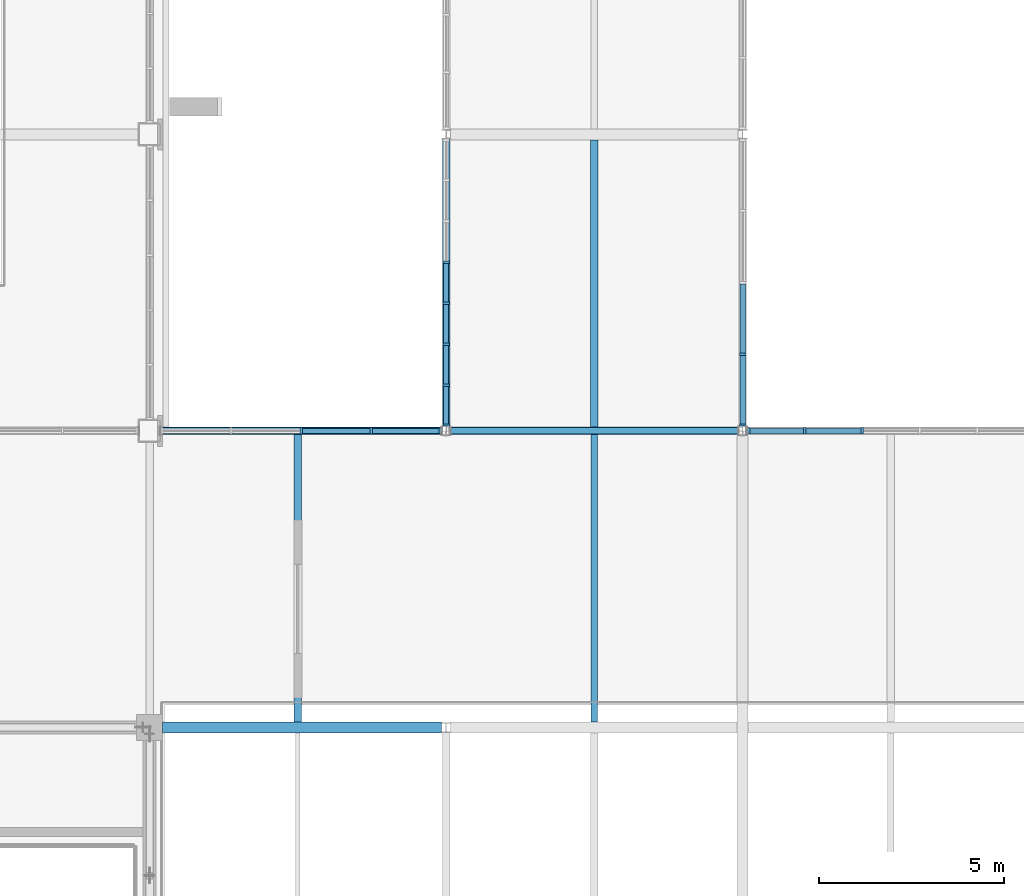
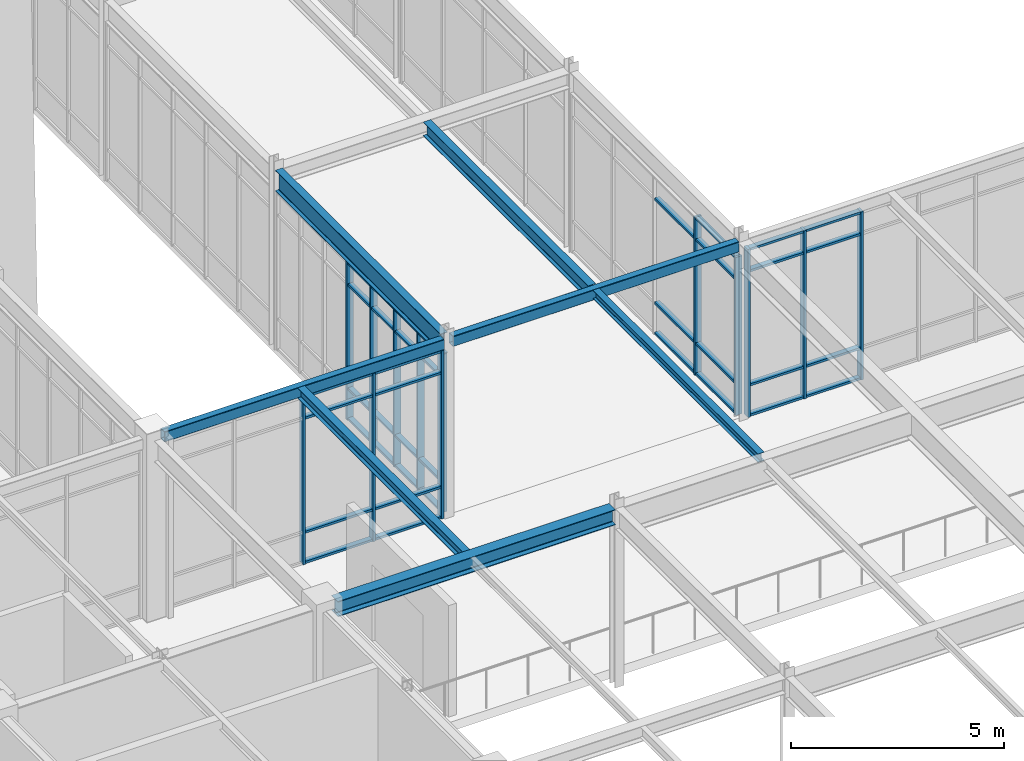
# One storey, part 34 of 184: 52 members, 7 beams, 4 elements without a shape of their own.
"""IFC4 building model written with IfcOpenShell, lengths in metres."""

from ifc_helpers import new_model, si_unit, direction, frame, origin, origin_2d, place, context, subcontext, project, spatial, rectangle, hollow_rectangle, i_section, extrude, material, material_profile, profile_set, type_object, element, aggregate, save


model = new_model("IFC4")

# Units and contexts
model_context = context("Model", 3, precision=1e-05, world=origin(), true_north=direction((0.0, 1.0)))
body_context = subcontext(model_context, "Body", "Model", "MODEL_VIEW")
ifc_project = project(units=[si_unit("LENGTHUNIT", "METRE"), si_unit("AREAUNIT", "SQUARE_METRE"), si_unit("VOLUMEUNIT", "CUBIC_METRE"), si_unit("PLANEANGLEUNIT", "RADIAN"), si_unit("MASSUNIT", "GRAM", prefix="KILO")], contexts=[model_context])

# Site, building, storey
site_placement = place(None, origin())
site = spatial("IfcSite", under=ifc_project, at=site_placement, CompositionType="ELEMENT")
building_placement = place(site_placement, origin())
building = spatial("IfcBuilding", under=site, at=building_placement, Name="Zhaolan Boulevard Law Courts", CompositionType="ELEMENT")
storey_placement = place(building_placement, frame((0.0, 0.0, 5.39990234375)))
storey = spatial("IfcBuildingStorey", under=building, at=storey_placement, Name="L01", CompositionType="ELEMENT", Elevation=5.39990234375)

# Curtain wall, members
ifc_material_1 = material(Name="Thermally broken aluminium and low-E glazing", Category="aluminium")
curtain_wall_type_1 = type_object("IfcCurtainWallType", Name="CURTAIN WALL M24", PredefinedType="USERDEFINED", material=ifc_material_1)
curtain_wall_1_placement = place(storey_placement, origin())
curtain_wall_1 = element("IfcCurtainWall", 1, at=curtain_wall_1_placement, inside=storey, type_object=curtain_wall_type_1, Name="Curtain Wall CW-L01-048", ObjectType="CURTAIN WALL", PredefinedType="USERDEFINED")
ifc_material_2 = material(Name="Fluorocarbon-coated aluminium 6063-T6", Category="aluminium")
ifc_material_profile_1 = material_profile(ifc_material_2, rectangle(XDim=0.179931640625, YDim=0.06494140625, at=origin_2d()), Name="AL65x180")
ifc_profile_set_1 = profile_set([ifc_material_profile_1], Name="Fluorocarbon-coated aluminium 6063-T6")
member_type_1 = type_object("IfcMemberType", Name="CWMULLION 65X180", PredefinedType="MULLION", material=ifc_profile_set_1)
member_1_placement = place(storey_placement, frame((51.840576171875, 30.0, 0.0), z_axis=(0.0, 0.0, 1.0), x_axis=(0.0, -1.0, 0.0)))
member_1 = element("IfcMember", 2, at=member_1_placement, type_object=member_type_1, Name="CW-L01-048 mullion 1", PredefinedType="MULLION", context=body_context, shape_type="SweptSolid", body=[
    extrude(rectangle(XDim=0.179931640625, YDim=0.06494140625, at=origin_2d()), origin(), (0.0, 0.0, 1.0), 4.822998046875),
])
member_2_placement = place(storey_placement, frame((49.980224609375, 30.0, 0.0), z_axis=(0.0, 0.0, 1.0), x_axis=(0.0, -1.0, 0.0)))
member_2 = element("IfcMember", 3, at=member_2_placement, type_object=member_type_1, Name="CW-L01-048 mullion 2", PredefinedType="MULLION", context=body_context, shape_type="SweptSolid", body=[
    extrude(rectangle(XDim=0.179931640625, YDim=0.06494140625, at=origin_2d()), origin(), (0.0, 0.0, 1.0), 4.822998046875),
])
member_3_placement = place(storey_placement, frame((48.08740234375, 30.0, 0.0), z_axis=(0.0, 0.0, 1.0), x_axis=(0.0, -1.0, 0.0)))
member_3 = element("IfcMember", 4, at=member_3_placement, type_object=member_type_1, Name="CW-L01-048 mullion 3", PredefinedType="MULLION", context=body_context, shape_type="SweptSolid", body=[
    extrude(rectangle(XDim=0.179931640625, YDim=0.06494140625, at=origin_2d()), origin(), (0.0, 0.0, 1.0), 4.822998046875),
])

ifc_material_3 = material(Name="Thermally broken aluminium and low-E glazing", Category="aluminium")
curtain_wall_type_2 = type_object("IfcCurtainWallType", Name="CURTAIN WALL M1", PredefinedType="USERDEFINED", material=ifc_material_3)
curtain_wall_2_placement = place(storey_placement, origin())
curtain_wall_2 = element("IfcCurtainWall", 5, at=curtain_wall_2_placement, inside=storey, type_object=curtain_wall_type_2, Name="Curtain Wall CW-L01-049", ObjectType="CURTAIN WALL", PredefinedType="USERDEFINED")
member_4_placement = place(storey_placement, frame((63.225341796875, 30.0, 0.0), z_axis=(0.0, 0.0, 1.0), x_axis=(0.0, -1.0, 0.0)))
member_4 = element("IfcMember", 6, at=member_4_placement, type_object=member_type_1, Name="CW-L01-049 mullion 4", PredefinedType="MULLION", context=body_context, shape_type="SweptSolid", body=[
    extrude(rectangle(XDim=0.179931640625, YDim=0.06494140625, at=origin_2d()), origin(), (0.0, 0.0, 1.0), 4.822998046875),
])
member_5_placement = place(storey_placement, frame((61.67626953125, 30.0, 0.0), z_axis=(0.0, 0.0, 1.0), x_axis=(0.0, -1.0, 0.0)))
member_5 = element("IfcMember", 7, at=member_5_placement, type_object=member_type_1, Name="CW-L01-049 mullion 5", PredefinedType="MULLION", context=body_context, shape_type="SweptSolid", body=[
    extrude(rectangle(XDim=0.179931640625, YDim=0.06494140625, at=origin_2d()), origin(), (0.0, 0.0, 1.0), 4.822998046875),
])
member_6_placement = place(storey_placement, frame((60.159423828125, 30.0, 0.0), z_axis=(0.0, 0.0, 1.0), x_axis=(0.0, -1.0, 0.0)))
member_6 = element("IfcMember", 8, at=member_6_placement, type_object=member_type_1, Name="CW-L01-049 mullion 6", PredefinedType="MULLION", context=body_context, shape_type="SweptSolid", body=[
    extrude(rectangle(XDim=0.179931640625, YDim=0.06494140625, at=origin_2d()), origin(), (0.0, 0.0, 1.0), 4.822998046875),
])

ifc_material_4 = material(Name="Thermally broken aluminium and low-E glazing", Category="aluminium")
curtain_wall_type_3 = type_object("IfcCurtainWallType", Name="CURTAIN WALL M18", PredefinedType="USERDEFINED", material=ifc_material_4)
curtain_wall_3_placement = place(storey_placement, origin())
curtain_wall_3 = element("IfcCurtainWall", 9, at=curtain_wall_3_placement, inside=storey, type_object=curtain_wall_type_3, Name="Curtain Wall CW-L01-066", ObjectType="CURTAIN WALL", PredefinedType="USERDEFINED")
member_7_placement = place(storey_placement, frame((52.0, 34.55322265625, 0.0), z_axis=(0.0, 0.0, 1.0), x_axis=(1.0, 0.0, 0.0)))
member_7 = element("IfcMember", 10, at=member_7_placement, type_object=member_type_1, Name="CW-L01-066 mullion 4", PredefinedType="MULLION", context=body_context, shape_type="SweptSolid", body=[
    extrude(rectangle(XDim=0.179931640625, YDim=0.06494140625, at=origin_2d()), origin(), (0.0, 0.0, 1.0), 4.533203125),
])
member_8_placement = place(storey_placement, frame((52.0, 33.44677734375, 0.0), z_axis=(0.0, 0.0, 1.0), x_axis=(1.0, 0.0, 0.0)))
member_8 = element("IfcMember", 11, at=member_8_placement, type_object=member_type_1, Name="CW-L01-066 mullion 5", PredefinedType="MULLION", context=body_context, shape_type="SweptSolid", body=[
    extrude(rectangle(XDim=0.179931640625, YDim=0.06494140625, at=origin_2d()), origin(), (0.0, 0.0, 1.0), 4.533203125),
])
member_9_placement = place(storey_placement, frame((52.0, 32.340087890625, 0.0), z_axis=(0.0, 0.0, 1.0), x_axis=(1.0, 0.0, 0.0)))
member_9 = element("IfcMember", 12, at=member_9_placement, type_object=member_type_1, Name="CW-L01-066 mullion 6", PredefinedType="MULLION", context=body_context, shape_type="SweptSolid", body=[
    extrude(rectangle(XDim=0.179931640625, YDim=0.06494140625, at=origin_2d()), origin(), (0.0, 0.0, 1.0), 4.533203125),
])
member_10_placement = place(storey_placement, frame((52.0, 31.233642578125, 0.0), z_axis=(0.0, 0.0, 1.0), x_axis=(1.0, 0.0, 0.0)))
member_10 = element("IfcMember", 13, at=member_10_placement, type_object=member_type_1, Name="CW-L01-066 mullion 7", PredefinedType="MULLION", context=body_context, shape_type="SweptSolid", body=[
    extrude(rectangle(XDim=0.179931640625, YDim=0.06494140625, at=origin_2d()), origin(), (0.0, 0.0, 1.0), 4.533203125),
])
member_11_placement = place(storey_placement, frame((52.0, 30.159423828125, 0.0), z_axis=(0.0, 0.0, 1.0), x_axis=(1.0, 0.0, 0.0)))
member_11 = element("IfcMember", 14, at=member_11_placement, type_object=member_type_1, Name="CW-L01-066 mullion 8", PredefinedType="MULLION", context=body_context, shape_type="SweptSolid", body=[
    extrude(rectangle(XDim=0.179931640625, YDim=0.06494140625, at=origin_2d()), origin(), (0.0, 0.0, 1.0), 4.533203125),
])

ifc_material_5 = material(Name="Thermally broken aluminium and low-E glazing", Category="aluminium")
curtain_wall_type_4 = type_object("IfcCurtainWallType", Name="CURTAIN WALL M22", PredefinedType="USERDEFINED", material=ifc_material_5)
curtain_wall_4_placement = place(storey_placement, origin())
curtain_wall_4 = element("IfcCurtainWall", 15, at=curtain_wall_4_placement, inside=storey, type_object=curtain_wall_type_4, Name="Curtain Wall CW-L01-070", ObjectType="CURTAIN WALL", PredefinedType="USERDEFINED")
member_12_placement = place(storey_placement, frame((60.0, 30.159423828125, 0.0), z_axis=(0.0, 0.0, 1.0), x_axis=(-1.0, 0.0, 0.0)))
member_12 = element("IfcMember", 16, at=member_12_placement, type_object=member_type_1, Name="CW-L01-070 mullion 1", PredefinedType="MULLION", context=body_context, shape_type="SweptSolid", body=[
    extrude(rectangle(XDim=0.179931640625, YDim=0.06494140625, at=origin_2d()), origin(), (0.0, 0.0, 1.0), 4.533203125),
])
member_13_placement = place(storey_placement, frame((60.0, 32.0634765625, 0.0), z_axis=(0.0, 0.0, 1.0), x_axis=(-1.0, 0.0, 0.0)))
member_13 = element("IfcMember", 17, at=member_13_placement, type_object=member_type_1, Name="CW-L01-070 mullion 2", PredefinedType="MULLION", context=body_context, shape_type="SweptSolid", body=[
    extrude(rectangle(XDim=0.179931640625, YDim=0.06494140625, at=origin_2d()), origin(), (0.0, 0.0, 1.0), 4.533203125),
])

# Member
ifc_material_6 = material(Name="Fluorocarbon-coated aluminium 6063-T6", Category="aluminium")
ifc_material_profile_2 = material_profile(ifc_material_6, rectangle(XDim=0.139892578125, YDim=0.06494140625, at=origin_2d()), Name="AL65x140")
ifc_profile_set_2 = profile_set([ifc_material_profile_2], Name="Fluorocarbon-coated aluminium 6063-T6")
member_type_2 = type_object("IfcMemberType", Name="CWTRANSOM 65X140", PredefinedType="USERDEFINED", material=ifc_profile_set_2)
member_14_placement = place(storey_placement, frame((51.80810546875, 30.0, 0.03271484375), z_axis=(-1.0, 0.0, 0.0), x_axis=(0.0, -1.0, 0.0)))
member_14 = element("IfcMember", 18, at=member_14_placement, type_object=member_type_2, Name="CW-L01-048 transom 1.1", ObjectType="TRANSOM", PredefinedType="USERDEFINED", context=body_context, shape_type="SweptSolid", body=[
    extrude(rectangle(XDim=0.139892578125, YDim=0.06494140625, at=origin_2d()), origin(), (0.0, 0.0, 1.0), 1.79541015625),
])

member_15_placement = place(storey_placement, frame((51.80810546875, 30.0, 0.900146484375), z_axis=(-1.0, 0.0, 0.0), x_axis=(0.0, -1.0, 0.0)))
member_15 = element("IfcMember", 19, at=member_15_placement, type_object=member_type_2, Name="CW-L01-048 transom 1.2", ObjectType="TRANSOM", PredefinedType="USERDEFINED", context=body_context, shape_type="SweptSolid", body=[
    extrude(rectangle(XDim=0.139892578125, YDim=0.06494140625, at=origin_2d()), origin(), (0.0, 0.0, 1.0), 1.79541015625),
])

member_16_placement = place(storey_placement, frame((51.80810546875, 30.0, 4.173095703125), z_axis=(-1.0, 0.0, 0.0), x_axis=(0.0, -1.0, 0.0)))
member_16 = element("IfcMember", 20, at=member_16_placement, type_object=member_type_2, Name="CW-L01-048 transom 1.3", ObjectType="TRANSOM", PredefinedType="USERDEFINED", context=body_context, shape_type="SweptSolid", body=[
    extrude(rectangle(XDim=0.139892578125, YDim=0.06494140625, at=origin_2d()), origin(), (0.0, 0.0, 1.0), 1.79541015625),
])

member_17_placement = place(storey_placement, frame((51.80810546875, 30.0, 4.79052734375), z_axis=(-1.0, 0.0, 0.0), x_axis=(0.0, -1.0, 0.0)))
member_17 = element("IfcMember", 21, at=member_17_placement, type_object=member_type_2, Name="CW-L01-048 transom 1.4", ObjectType="TRANSOM", PredefinedType="USERDEFINED", context=body_context, shape_type="SweptSolid", body=[
    extrude(rectangle(XDim=0.139892578125, YDim=0.06494140625, at=origin_2d()), origin(), (0.0, 0.0, 1.0), 1.79541015625),
])

member_18_placement = place(storey_placement, frame((49.94775390625, 30.0, 0.03271484375), z_axis=(-1.0, 0.0, 0.0), x_axis=(0.0, -1.0, 0.0)))
member_18 = element("IfcMember", 22, at=member_18_placement, type_object=member_type_2, Name="CW-L01-048 transom 2.1", ObjectType="TRANSOM", PredefinedType="USERDEFINED", context=body_context, shape_type="SweptSolid", body=[
    extrude(rectangle(XDim=0.139892578125, YDim=0.06494140625, at=origin_2d()), origin(), (0.0, 0.0, 1.0), 1.82763671875),
])

member_19_placement = place(storey_placement, frame((49.94775390625, 30.0, 0.900146484375), z_axis=(-1.0, 0.0, 0.0), x_axis=(0.0, -1.0, 0.0)))
member_19 = element("IfcMember", 23, at=member_19_placement, type_object=member_type_2, Name="CW-L01-048 transom 2.2", ObjectType="TRANSOM", PredefinedType="USERDEFINED", context=body_context, shape_type="SweptSolid", body=[
    extrude(rectangle(XDim=0.139892578125, YDim=0.06494140625, at=origin_2d()), origin(), (0.0, 0.0, 1.0), 1.82763671875),
])

member_20_placement = place(storey_placement, frame((49.94775390625, 30.0, 4.173095703125), z_axis=(-1.0, 0.0, 0.0), x_axis=(0.0, -1.0, 0.0)))
member_20 = element("IfcMember", 24, at=member_20_placement, type_object=member_type_2, Name="CW-L01-048 transom 2.3", ObjectType="TRANSOM", PredefinedType="USERDEFINED", context=body_context, shape_type="SweptSolid", body=[
    extrude(rectangle(XDim=0.139892578125, YDim=0.06494140625, at=origin_2d()), origin(), (0.0, 0.0, 1.0), 1.82763671875),
])

member_21_placement = place(storey_placement, frame((49.94775390625, 30.0, 4.79052734375), z_axis=(-1.0, 0.0, 0.0), x_axis=(0.0, -1.0, 0.0)))
member_21 = element("IfcMember", 25, at=member_21_placement, type_object=member_type_2, Name="CW-L01-048 transom 2.4", ObjectType="TRANSOM", PredefinedType="USERDEFINED", context=body_context, shape_type="SweptSolid", body=[
    extrude(rectangle(XDim=0.139892578125, YDim=0.06494140625, at=origin_2d()), origin(), (0.0, 0.0, 1.0), 1.82763671875),
])

aggregate(curtain_wall_1, [member_1, member_2, member_3, member_14, member_15, member_16, member_17, member_18, member_19, member_20, member_21])

member_22_placement = place(storey_placement, frame((63.19287109375, 30.0, 0.03271484375), z_axis=(-1.0, 0.0, 0.0), x_axis=(0.0, -1.0, 0.0)))
member_22 = element("IfcMember", 26, at=member_22_placement, type_object=member_type_2, Name="CW-L01-049 transom 4.1", ObjectType="TRANSOM", PredefinedType="USERDEFINED", context=body_context, shape_type="SweptSolid", body=[
    extrude(rectangle(XDim=0.139892578125, YDim=0.06494140625, at=origin_2d()), origin(), (0.0, 0.0, 1.0), 1.484130859375),
])

member_23_placement = place(storey_placement, frame((63.19287109375, 30.0, 0.900146484375), z_axis=(-1.0, 0.0, 0.0), x_axis=(0.0, -1.0, 0.0)))
member_23 = element("IfcMember", 27, at=member_23_placement, type_object=member_type_2, Name="CW-L01-049 transom 4.2", ObjectType="TRANSOM", PredefinedType="USERDEFINED", context=body_context, shape_type="SweptSolid", body=[
    extrude(rectangle(XDim=0.139892578125, YDim=0.06494140625, at=origin_2d()), origin(), (0.0, 0.0, 1.0), 1.484130859375),
])

member_24_placement = place(storey_placement, frame((63.19287109375, 30.0, 4.173095703125), z_axis=(-1.0, 0.0, 0.0), x_axis=(0.0, -1.0, 0.0)))
member_24 = element("IfcMember", 28, at=member_24_placement, type_object=member_type_2, Name="CW-L01-049 transom 4.3", ObjectType="TRANSOM", PredefinedType="USERDEFINED", context=body_context, shape_type="SweptSolid", body=[
    extrude(rectangle(XDim=0.139892578125, YDim=0.06494140625, at=origin_2d()), origin(), (0.0, 0.0, 1.0), 1.484130859375),
])

member_25_placement = place(storey_placement, frame((63.19287109375, 30.0, 4.79052734375), z_axis=(-1.0, 0.0, 0.0), x_axis=(0.0, -1.0, 0.0)))
member_25 = element("IfcMember", 29, at=member_25_placement, type_object=member_type_2, Name="CW-L01-049 transom 4.4", ObjectType="TRANSOM", PredefinedType="USERDEFINED", context=body_context, shape_type="SweptSolid", body=[
    extrude(rectangle(XDim=0.139892578125, YDim=0.06494140625, at=origin_2d()), origin(), (0.0, 0.0, 1.0), 1.484130859375),
])

member_26_placement = place(storey_placement, frame((61.643798828125, 30.0, 0.03271484375), z_axis=(-1.0, 0.0, 0.0), x_axis=(0.0, -1.0, 0.0)))
member_26 = element("IfcMember", 30, at=member_26_placement, type_object=member_type_2, Name="CW-L01-049 transom 5.1", ObjectType="TRANSOM", PredefinedType="USERDEFINED", context=body_context, shape_type="SweptSolid", body=[
    extrude(rectangle(XDim=0.139892578125, YDim=0.06494140625, at=origin_2d()), origin(), (0.0, 0.0, 1.0), 1.451904296875),
])

member_27_placement = place(storey_placement, frame((61.643798828125, 30.0, 0.900146484375), z_axis=(-1.0, 0.0, 0.0), x_axis=(0.0, -1.0, 0.0)))
member_27 = element("IfcMember", 31, at=member_27_placement, type_object=member_type_2, Name="CW-L01-049 transom 5.2", ObjectType="TRANSOM", PredefinedType="USERDEFINED", context=body_context, shape_type="SweptSolid", body=[
    extrude(rectangle(XDim=0.139892578125, YDim=0.06494140625, at=origin_2d()), origin(), (0.0, 0.0, 1.0), 1.451904296875),
])

member_28_placement = place(storey_placement, frame((61.643798828125, 30.0, 4.173095703125), z_axis=(-1.0, 0.0, 0.0), x_axis=(0.0, -1.0, 0.0)))
member_28 = element("IfcMember", 32, at=member_28_placement, type_object=member_type_2, Name="CW-L01-049 transom 5.3", ObjectType="TRANSOM", PredefinedType="USERDEFINED", context=body_context, shape_type="SweptSolid", body=[
    extrude(rectangle(XDim=0.139892578125, YDim=0.06494140625, at=origin_2d()), origin(), (0.0, 0.0, 1.0), 1.451904296875),
])

member_29_placement = place(storey_placement, frame((61.643798828125, 30.0, 4.79052734375), z_axis=(-1.0, 0.0, 0.0), x_axis=(0.0, -1.0, 0.0)))
member_29 = element("IfcMember", 33, at=member_29_placement, type_object=member_type_2, Name="CW-L01-049 transom 5.4", ObjectType="TRANSOM", PredefinedType="USERDEFINED", context=body_context, shape_type="SweptSolid", body=[
    extrude(rectangle(XDim=0.139892578125, YDim=0.06494140625, at=origin_2d()), origin(), (0.0, 0.0, 1.0), 1.451904296875),
])

aggregate(curtain_wall_2, [member_4, member_5, member_6, member_22, member_23, member_24, member_25, member_26, member_27, member_28, member_29])

member_30_placement = place(storey_placement, frame((52.0, 34.520751953125, 0.03271484375), z_axis=(0.0, -1.0, 0.0), x_axis=(1.0, 0.0, 0.0)))
member_30 = element("IfcMember", 34, at=member_30_placement, type_object=member_type_2, Name="CW-L01-066 transom 4.1", ObjectType="TRANSOM", PredefinedType="USERDEFINED", context=body_context, shape_type="SweptSolid", body=[
    extrude(rectangle(XDim=0.139892578125, YDim=0.06494140625, at=origin_2d()), origin(), (0.0, 0.0, 1.0), 1.04150390625),
])

member_31_placement = place(storey_placement, frame((52.0, 34.520751953125, 0.900146484375), z_axis=(0.0, -1.0, 0.0), x_axis=(1.0, 0.0, 0.0)))
member_31 = element("IfcMember", 35, at=member_31_placement, type_object=member_type_2, Name="CW-L01-066 transom 4.2", ObjectType="TRANSOM", PredefinedType="USERDEFINED", context=body_context, shape_type="SweptSolid", body=[
    extrude(rectangle(XDim=0.139892578125, YDim=0.06494140625, at=origin_2d()), origin(), (0.0, 0.0, 1.0), 1.04150390625),
])

member_32_placement = place(storey_placement, frame((52.0, 34.520751953125, 3.883056640625), z_axis=(0.0, -1.0, 0.0), x_axis=(1.0, 0.0, 0.0)))
member_32 = element("IfcMember", 36, at=member_32_placement, type_object=member_type_2, Name="CW-L01-066 transom 4.3", ObjectType="TRANSOM", PredefinedType="USERDEFINED", context=body_context, shape_type="SweptSolid", body=[
    extrude(rectangle(XDim=0.139892578125, YDim=0.06494140625, at=origin_2d()), origin(), (0.0, 0.0, 1.0), 1.04150390625),
])

member_33_placement = place(storey_placement, frame((52.0, 34.520751953125, 4.50048828125), z_axis=(0.0, -1.0, 0.0), x_axis=(1.0, 0.0, 0.0)))
member_33 = element("IfcMember", 37, at=member_33_placement, type_object=member_type_2, Name="CW-L01-066 transom 4.4", ObjectType="TRANSOM", PredefinedType="USERDEFINED", context=body_context, shape_type="SweptSolid", body=[
    extrude(rectangle(XDim=0.139892578125, YDim=0.06494140625, at=origin_2d()), origin(), (0.0, 0.0, 1.0), 1.04150390625),
])

member_34_placement = place(storey_placement, frame((52.0, 33.414306640625, 0.03271484375), z_axis=(0.0, -1.0, 0.0), x_axis=(1.0, 0.0, 0.0)))
member_34 = element("IfcMember", 38, at=member_34_placement, type_object=member_type_2, Name="CW-L01-066 transom 5.1", ObjectType="TRANSOM", PredefinedType="USERDEFINED", context=body_context, shape_type="SweptSolid", body=[
    extrude(rectangle(XDim=0.139892578125, YDim=0.06494140625, at=origin_2d()), origin(), (0.0, 0.0, 1.0), 1.041748046875),
])

member_35_placement = place(storey_placement, frame((52.0, 33.414306640625, 0.900146484375), z_axis=(0.0, -1.0, 0.0), x_axis=(1.0, 0.0, 0.0)))
member_35 = element("IfcMember", 39, at=member_35_placement, type_object=member_type_2, Name="CW-L01-066 transom 5.2", ObjectType="TRANSOM", PredefinedType="USERDEFINED", context=body_context, shape_type="SweptSolid", body=[
    extrude(rectangle(XDim=0.139892578125, YDim=0.06494140625, at=origin_2d()), origin(), (0.0, 0.0, 1.0), 1.041748046875),
])

member_36_placement = place(storey_placement, frame((52.0, 33.414306640625, 3.883056640625), z_axis=(0.0, -1.0, 0.0), x_axis=(1.0, 0.0, 0.0)))
member_36 = element("IfcMember", 40, at=member_36_placement, type_object=member_type_2, Name="CW-L01-066 transom 5.3", ObjectType="TRANSOM", PredefinedType="USERDEFINED", context=body_context, shape_type="SweptSolid", body=[
    extrude(rectangle(XDim=0.139892578125, YDim=0.06494140625, at=origin_2d()), origin(), (0.0, 0.0, 1.0), 1.041748046875),
])

member_37_placement = place(storey_placement, frame((52.0, 33.414306640625, 4.50048828125), z_axis=(0.0, -1.0, 0.0), x_axis=(1.0, 0.0, 0.0)))
member_37 = element("IfcMember", 41, at=member_37_placement, type_object=member_type_2, Name="CW-L01-066 transom 5.4", ObjectType="TRANSOM", PredefinedType="USERDEFINED", context=body_context, shape_type="SweptSolid", body=[
    extrude(rectangle(XDim=0.139892578125, YDim=0.06494140625, at=origin_2d()), origin(), (0.0, 0.0, 1.0), 1.041748046875),
])

member_38_placement = place(storey_placement, frame((52.0, 32.3076171875, 0.03271484375), z_axis=(0.0, -1.0, 0.0), x_axis=(1.0, 0.0, 0.0)))
member_38 = element("IfcMember", 42, at=member_38_placement, type_object=member_type_2, Name="CW-L01-066 transom 6.1", ObjectType="TRANSOM", PredefinedType="USERDEFINED", context=body_context, shape_type="SweptSolid", body=[
    extrude(rectangle(XDim=0.139892578125, YDim=0.06494140625, at=origin_2d()), origin(), (0.0, 0.0, 1.0), 1.04150390625),
])

member_39_placement = place(storey_placement, frame((52.0, 32.3076171875, 0.900146484375), z_axis=(0.0, -1.0, 0.0), x_axis=(1.0, 0.0, 0.0)))
member_39 = element("IfcMember", 43, at=member_39_placement, type_object=member_type_2, Name="CW-L01-066 transom 6.2", ObjectType="TRANSOM", PredefinedType="USERDEFINED", context=body_context, shape_type="SweptSolid", body=[
    extrude(rectangle(XDim=0.139892578125, YDim=0.06494140625, at=origin_2d()), origin(), (0.0, 0.0, 1.0), 1.04150390625),
])

member_40_placement = place(storey_placement, frame((52.0, 32.3076171875, 3.883056640625), z_axis=(0.0, -1.0, 0.0), x_axis=(1.0, 0.0, 0.0)))
member_40 = element("IfcMember", 44, at=member_40_placement, type_object=member_type_2, Name="CW-L01-066 transom 6.3", ObjectType="TRANSOM", PredefinedType="USERDEFINED", context=body_context, shape_type="SweptSolid", body=[
    extrude(rectangle(XDim=0.139892578125, YDim=0.06494140625, at=origin_2d()), origin(), (0.0, 0.0, 1.0), 1.04150390625),
])

member_41_placement = place(storey_placement, frame((52.0, 32.3076171875, 4.50048828125), z_axis=(0.0, -1.0, 0.0), x_axis=(1.0, 0.0, 0.0)))
member_41 = element("IfcMember", 45, at=member_41_placement, type_object=member_type_2, Name="CW-L01-066 transom 6.4", ObjectType="TRANSOM", PredefinedType="USERDEFINED", context=body_context, shape_type="SweptSolid", body=[
    extrude(rectangle(XDim=0.139892578125, YDim=0.06494140625, at=origin_2d()), origin(), (0.0, 0.0, 1.0), 1.04150390625),
])

member_42_placement = place(storey_placement, frame((52.0, 31.201171875, 0.03271484375), z_axis=(0.0, -1.0, 0.0), x_axis=(1.0, 0.0, 0.0)))
member_42 = element("IfcMember", 46, at=member_42_placement, type_object=member_type_2, Name="CW-L01-066 transom 7.1", ObjectType="TRANSOM", PredefinedType="USERDEFINED", context=body_context, shape_type="SweptSolid", body=[
    extrude(rectangle(XDim=0.139892578125, YDim=0.06494140625, at=origin_2d()), origin(), (0.0, 0.0, 1.0), 1.00927734375),
])

member_43_placement = place(storey_placement, frame((52.0, 31.201171875, 0.900146484375), z_axis=(0.0, -1.0, 0.0), x_axis=(1.0, 0.0, 0.0)))
member_43 = element("IfcMember", 47, at=member_43_placement, type_object=member_type_2, Name="CW-L01-066 transom 7.2", ObjectType="TRANSOM", PredefinedType="USERDEFINED", context=body_context, shape_type="SweptSolid", body=[
    extrude(rectangle(XDim=0.139892578125, YDim=0.06494140625, at=origin_2d()), origin(), (0.0, 0.0, 1.0), 1.00927734375),
])

member_44_placement = place(storey_placement, frame((52.0, 31.201171875, 3.883056640625), z_axis=(0.0, -1.0, 0.0), x_axis=(1.0, 0.0, 0.0)))
member_44 = element("IfcMember", 48, at=member_44_placement, type_object=member_type_2, Name="CW-L01-066 transom 7.3", ObjectType="TRANSOM", PredefinedType="USERDEFINED", context=body_context, shape_type="SweptSolid", body=[
    extrude(rectangle(XDim=0.139892578125, YDim=0.06494140625, at=origin_2d()), origin(), (0.0, 0.0, 1.0), 1.00927734375),
])

member_45_placement = place(storey_placement, frame((52.0, 31.201171875, 4.50048828125), z_axis=(0.0, -1.0, 0.0), x_axis=(1.0, 0.0, 0.0)))
member_45 = element("IfcMember", 49, at=member_45_placement, type_object=member_type_2, Name="CW-L01-066 transom 7.4", ObjectType="TRANSOM", PredefinedType="USERDEFINED", context=body_context, shape_type="SweptSolid", body=[
    extrude(rectangle(XDim=0.139892578125, YDim=0.06494140625, at=origin_2d()), origin(), (0.0, 0.0, 1.0), 1.00927734375),
])

aggregate(curtain_wall_3, [member_7, member_8, member_9, member_10, member_11, member_30, member_31, member_32, member_33, member_34, member_35, member_36, member_37, member_38, member_39, member_40, member_41, member_42, member_43, member_44, member_45])

member_46_placement = place(storey_placement, frame((60.0, 30.19189453125, 0.03271484375), z_axis=(0.0, 1.0, 0.0), x_axis=(-1.0, 0.0, 0.0)))
member_46 = element("IfcMember", 50, at=member_46_placement, type_object=member_type_2, Name="CW-L01-070 transom 1.1", ObjectType="TRANSOM", PredefinedType="USERDEFINED", context=body_context, shape_type="SweptSolid", body=[
    extrude(rectangle(XDim=0.139892578125, YDim=0.06494140625, at=origin_2d()), origin(), (0.0, 0.0, 1.0), 1.839111328125),
])

member_47_placement = place(storey_placement, frame((60.0, 30.19189453125, 0.900146484375), z_axis=(0.0, 1.0, 0.0), x_axis=(-1.0, 0.0, 0.0)))
member_47 = element("IfcMember", 51, at=member_47_placement, type_object=member_type_2, Name="CW-L01-070 transom 1.2", ObjectType="TRANSOM", PredefinedType="USERDEFINED", context=body_context, shape_type="SweptSolid", body=[
    extrude(rectangle(XDim=0.139892578125, YDim=0.06494140625, at=origin_2d()), origin(), (0.0, 0.0, 1.0), 1.839111328125),
])

member_48_placement = place(storey_placement, frame((60.0, 30.19189453125, 3.883056640625), z_axis=(0.0, 1.0, 0.0), x_axis=(-1.0, 0.0, 0.0)))
member_48 = element("IfcMember", 52, at=member_48_placement, type_object=member_type_2, Name="CW-L01-070 transom 1.3", ObjectType="TRANSOM", PredefinedType="USERDEFINED", context=body_context, shape_type="SweptSolid", body=[
    extrude(rectangle(XDim=0.139892578125, YDim=0.06494140625, at=origin_2d()), origin(), (0.0, 0.0, 1.0), 1.839111328125),
])

member_49_placement = place(storey_placement, frame((60.0, 30.19189453125, 4.50048828125), z_axis=(0.0, 1.0, 0.0), x_axis=(-1.0, 0.0, 0.0)))
member_49 = element("IfcMember", 53, at=member_49_placement, type_object=member_type_2, Name="CW-L01-070 transom 1.4", ObjectType="TRANSOM", PredefinedType="USERDEFINED", context=body_context, shape_type="SweptSolid", body=[
    extrude(rectangle(XDim=0.139892578125, YDim=0.06494140625, at=origin_2d()), origin(), (0.0, 0.0, 1.0), 1.839111328125),
])

member_50_placement = place(storey_placement, frame((60.0, 32.095947265625, 0.03271484375), z_axis=(0.0, 1.0, 0.0), x_axis=(-1.0, 0.0, 0.0)))
member_50 = element("IfcMember", 54, at=member_50_placement, type_object=member_type_2, Name="CW-L01-070 transom 2.1", ObjectType="TRANSOM", PredefinedType="USERDEFINED", context=body_context, shape_type="SweptSolid", body=[
    extrude(rectangle(XDim=0.139892578125, YDim=0.06494140625, at=origin_2d()), origin(), (0.0, 0.0, 1.0), 1.87158203125),
])

member_51_placement = place(storey_placement, frame((60.0, 32.095947265625, 0.900146484375), z_axis=(0.0, 1.0, 0.0), x_axis=(-1.0, 0.0, 0.0)))
member_51 = element("IfcMember", 55, at=member_51_placement, type_object=member_type_2, Name="CW-L01-070 transom 2.2", ObjectType="TRANSOM", PredefinedType="USERDEFINED", context=body_context, shape_type="SweptSolid", body=[
    extrude(rectangle(XDim=0.139892578125, YDim=0.06494140625, at=origin_2d()), origin(), (0.0, 0.0, 1.0), 1.87158203125),
])

member_52_placement = place(storey_placement, frame((60.0, 32.095947265625, 3.883056640625), z_axis=(0.0, 1.0, 0.0), x_axis=(-1.0, 0.0, 0.0)))
member_52 = element("IfcMember", 56, at=member_52_placement, type_object=member_type_2, Name="CW-L01-070 transom 2.3", ObjectType="TRANSOM", PredefinedType="USERDEFINED", context=body_context, shape_type="SweptSolid", body=[
    extrude(rectangle(XDim=0.139892578125, YDim=0.06494140625, at=origin_2d()), origin(), (0.0, 0.0, 1.0), 1.87158203125),
])

aggregate(curtain_wall_4, [member_12, member_13, member_46, member_47, member_48, member_49, member_50, member_51, member_52])

# Beams
ifc_material_7 = material(Name="Structural steel Q355B", Category="steel")
ifc_material_profile_3 = material_profile(ifc_material_7, i_section(OverallWidth=0.300048828125, OverallDepth=0.43994140625, WebThickness=0.010986328125, FlangeThickness=0.01806640625, FilletRadius=0.02001953125, at=origin_2d()), Name="HM440x300")
ifc_profile_set_3 = profile_set([ifc_material_profile_3], Name="Structural steel Q355B")
beam_type_1 = type_object("IfcBeamType", Name="GIRDER HM440", PredefinedType="BEAM", material=ifc_profile_set_3)
beam_1_placement = place(storey_placement, frame((44.345947265625, 22.0, 4.918212890625), z_axis=(1.0, 0.0, 0.0), x_axis=(0.0, 1.0, 0.0)))
element("IfcBeam", 57, at=beam_1_placement, inside=storey, type_object=beam_type_1, Name="Beam BX-L02-6-7-D", PredefinedType="BEAM", context=body_context, shape_type="SweptSolid", body=[
    extrude(i_section(OverallWidth=0.300048828125, OverallDepth=0.43994140625, WebThickness=0.010986328125, FlangeThickness=0.01806640625, FilletRadius=0.02001953125, at=origin_2d()), origin(), (0.0, 0.0, 1.0), 7.532958984375),
])
ifc_material_8 = material(Name="Structural steel Q355B", Category="steel")
ifc_material_profile_4 = material_profile(ifc_material_8, i_section(OverallWidth=0.199951171875, OverallDepth=0.60009765625, WebThickness=0.010986328125, FlangeThickness=0.01708984375, FilletRadius=0.02001953125, at=origin_2d()), Name="HN600x200")
ifc_profile_set_4 = profile_set([ifc_material_profile_4], Name="Structural steel Q355B")
beam_type_2 = type_object("IfcBeamType", Name="GIRDER HN600", PredefinedType="BEAM", material=ifc_profile_set_4)
beam_2_placement = place(storey_placement, frame((52.0, 30.12109375, 4.84814453125), z_axis=(0.0, 1.0, 0.0), x_axis=(-1.0, 0.0, 0.0)))
element("IfcBeam", 58, at=beam_2_placement, inside=storey, type_object=beam_type_2, Name="Beam BY-L02-7-E-F", PredefinedType="BEAM", context=body_context, shape_type="SweptSolid", body=[
    extrude(i_section(OverallWidth=0.199951171875, OverallDepth=0.60009765625, WebThickness=0.010986328125, FlangeThickness=0.01708984375, FilletRadius=0.02001953125, at=origin_2d()), origin(), (0.0, 0.0, 1.0), 7.7578125),
])
ifc_material_9 = material(Name="Structural steel Q355B", Category="steel")
ifc_material_profile_5 = material_profile(ifc_material_9, i_section(OverallWidth=0.175048828125, OverallDepth=0.243896484375, WebThickness=0.007080078125, FlangeThickness=0.010986328125, FilletRadius=0.012939453125, at=origin_2d()), Name="HM244x175")
ifc_profile_set_5 = profile_set([ifc_material_profile_5], Name="Structural steel Q355B")
beam_type_3 = type_object("IfcBeamType", Name="JOIST HM244", PredefinedType="JOIST", material=ifc_profile_set_5)
beam_3_placement = place(storey_placement, frame((56.0, 22.14599609375, 5.01611328125), z_axis=(0.0, 1.0, 0.0), x_axis=(-1.0, 0.0, 0.0)))
element("IfcBeam", 59, at=beam_3_placement, inside=storey, type_object=beam_type_3, Name="Composite Joist J-L02-7D", PredefinedType="JOIST", context=body_context, shape_type="SweptSolid", body=[
    extrude(i_section(OverallWidth=0.175048828125, OverallDepth=0.243896484375, WebThickness=0.007080078125, FlangeThickness=0.010986328125, FilletRadius=0.012939453125, at=origin_2d()), origin(), (0.0, 0.0, 1.0), 7.758056640625),
])
ifc_material_10 = material(Name="Structural steel Q355B", Category="steel")
ifc_material_profile_6 = material_profile(ifc_material_10, i_section(OverallWidth=0.199951171875, OverallDepth=0.2939453125, WebThickness=0.008056640625, FlangeThickness=0.011962890625, FilletRadius=0.01611328125, at=origin_2d()), Name="HM294x200")
ifc_profile_set_6 = profile_set([ifc_material_profile_6], Name="Structural steel Q355B")
beam_type_4 = type_object("IfcBeamType", Name="JOIST HM294", PredefinedType="JOIST", material=ifc_profile_set_6)
beam_4_placement = place(storey_placement, frame((48.0, 22.14599609375, 4.9912109375), z_axis=(0.0, 1.0, 0.0), x_axis=(-1.0, 0.0, 0.0)))
element("IfcBeam", 60, at=beam_4_placement, inside=storey, type_object=beam_type_4, Name="Composite Joist J-L02-6D", PredefinedType="JOIST", context=body_context, shape_type="SweptSolid", body=[
    extrude(i_section(OverallWidth=0.199951171875, OverallDepth=0.2939453125, WebThickness=0.008056640625, FlangeThickness=0.011962890625, FilletRadius=0.01611328125, at=origin_2d()), origin(), (0.0, 0.0, 1.0), 7.758056640625),
])
ifc_material_11 = material(Name="Structural steel Q355B", Category="steel")
ifc_material_profile_7 = material_profile(ifc_material_11, i_section(OverallWidth=0.199951171875, OverallDepth=0.39990234375, WebThickness=0.008056640625, FlangeThickness=0.012939453125, FilletRadius=0.013916015625, at=origin_2d()), Name="HN400x200")
ifc_profile_set_7 = profile_set([ifc_material_profile_7], Name="Structural steel Q355B")
beam_type_5 = type_object("IfcBeamType", Name="JOIST HN400", PredefinedType="JOIST", material=ifc_profile_set_7)
beam_5_placement = place(storey_placement, frame((56.0, 30.095947265625, 4.947998046875), z_axis=(0.0, 1.0, 0.0), x_axis=(-1.0, 0.0, 0.0)))
element("IfcBeam", 61, at=beam_5_placement, inside=storey, type_object=beam_type_5, Name="Composite Joist J-L02-7E", PredefinedType="JOIST", context=body_context, shape_type="SweptSolid", body=[
    extrude(i_section(OverallWidth=0.199951171875, OverallDepth=0.39990234375, WebThickness=0.008056640625, FlangeThickness=0.012939453125, FilletRadius=0.013916015625, at=origin_2d()), origin(), (0.0, 0.0, 1.0), 7.758056640625),
])
ifc_material_12 = material(Name="Structural steel Q355B", Category="steel")
ifc_material_profile_8 = material_profile(ifc_material_12, hollow_rectangle(XDim=0.199951171875, YDim=0.300048828125, WallThickness=0.011962890625, InnerFilletRadius=0.011962890625, OuterFilletRadius=0.02392578125, at=origin_2d()), Name="HSS300x200x12")
ifc_profile_set_8 = profile_set([ifc_material_profile_8], Name="Structural steel Q355B")
beam_type_6 = type_object("IfcBeamType", Name="SPANDREL HSS300", PredefinedType="SPANDREL", material=ifc_profile_set_8)
beam_6_placement = place(storey_placement, frame((44.2958984375, 30.0, 4.988037109375), z_axis=(1.0, 0.0, 0.0), x_axis=(0.0, 1.0, 0.0)))
element("IfcBeam", 62, at=beam_6_placement, inside=storey, type_object=beam_type_6, Name="Beam BX-L02-6-7-E", PredefinedType="SPANDREL", context=body_context, shape_type="SweptSolid", body=[
    extrude(hollow_rectangle(XDim=0.199951171875, YDim=0.300048828125, WallThickness=0.011962890625, InnerFilletRadius=0.011962890625, OuterFilletRadius=0.02392578125, at=origin_2d()), origin(), (0.0, 0.0, 1.0), 7.5830078125),
])
beam_7_placement = place(storey_placement, frame((52.12109375, 30.0, 4.988037109375), z_axis=(1.0, 0.0, 0.0), x_axis=(0.0, 1.0, 0.0)))
element("IfcBeam", 63, at=beam_7_placement, inside=storey, type_object=beam_type_6, Name="Beam BX-L02-7-8-E", PredefinedType="SPANDREL", context=body_context, shape_type="SweptSolid", body=[
    extrude(hollow_rectangle(XDim=0.199951171875, YDim=0.300048828125, WallThickness=0.011962890625, InnerFilletRadius=0.011962890625, OuterFilletRadius=0.02392578125, at=origin_2d()), origin(), (0.0, 0.0, 1.0), 7.7578125),
])

save(model, "model.ifc")
